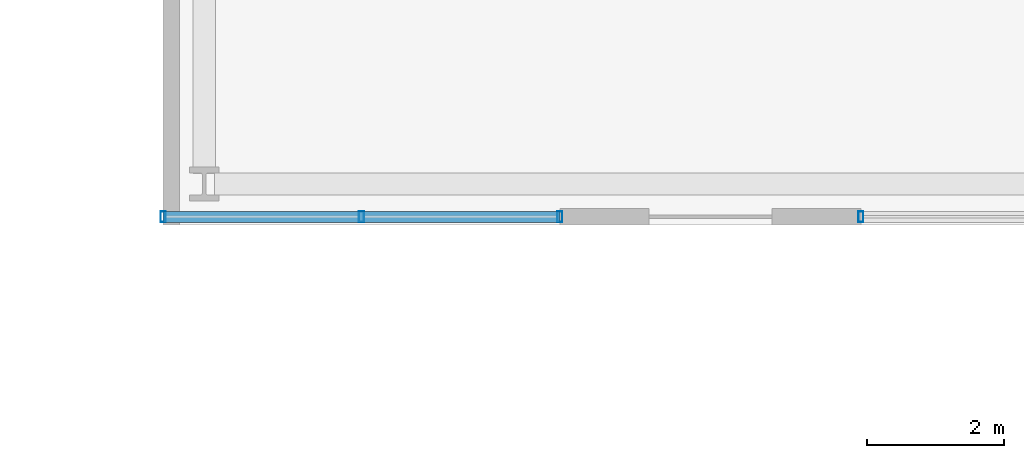
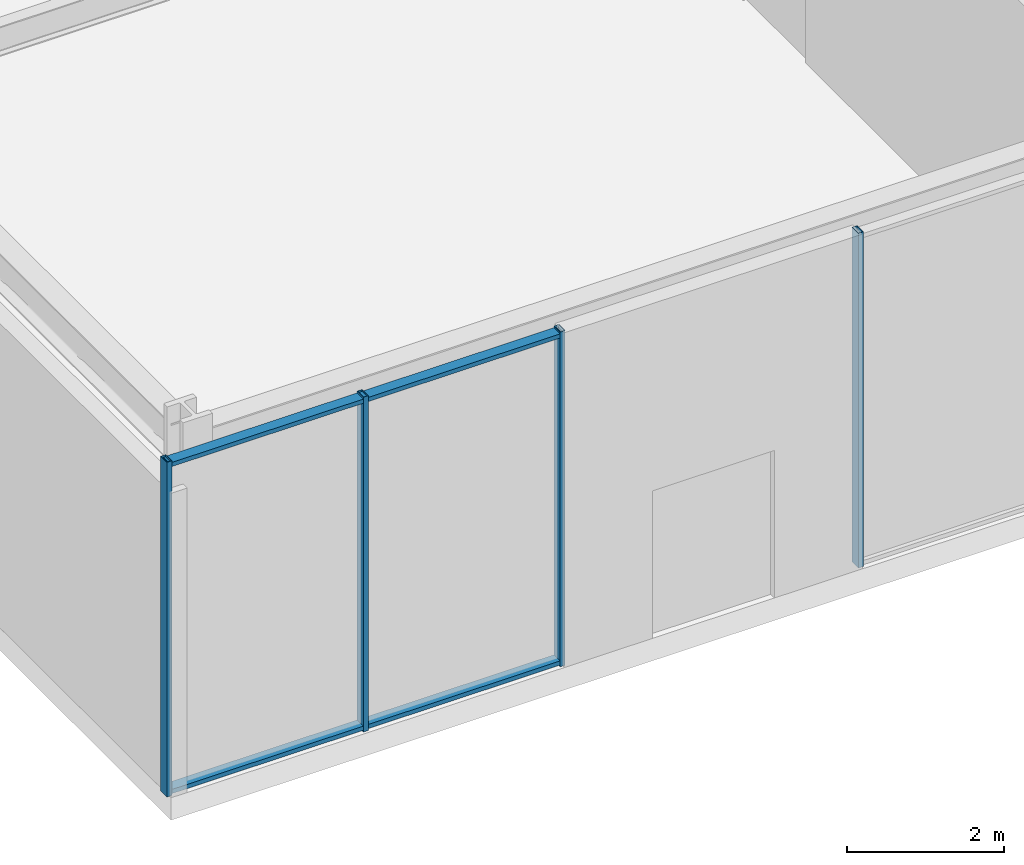
# One storey, part 2 of 24: 6 members, 2 elements without a shape of their own.
"""IFC4 building model written with IfcOpenShell, lengths in metres."""

from ifc_helpers import new_model, si_unit, direction, frame, origin, origin_2d, place, context, subcontext, project, spatial, hollow_rectangle, extrude, material, material_profile, profile_set, type_object, element, aggregate, save


model = new_model("IFC4")

# Units and contexts
model_context = context("Model", 3, precision=1e-05, world=origin(), true_north=direction((0.0, 1.0)))
body_context = subcontext(model_context, "Body", "Model", "MODEL_VIEW")
ifc_project = project(units=[si_unit("LENGTHUNIT", "METRE"), si_unit("AREAUNIT", "SQUARE_METRE"), si_unit("VOLUMEUNIT", "CUBIC_METRE"), si_unit("PLANEANGLEUNIT", "RADIAN"), si_unit("MASSUNIT", "GRAM", prefix="KILO")], contexts=[model_context])

# Site, building, storey
site_placement = place(None, origin())
site = spatial("IfcSite", under=ifc_project, at=site_placement, CompositionType="ELEMENT")
building_placement = place(site_placement, origin())
building = spatial("IfcBuilding", under=site, at=building_placement, Name="Kolvaren Belvedere", CompositionType="ELEMENT")
storey_placement = place(building_placement, origin())
storey = spatial("IfcBuildingStorey", under=building, at=storey_placement, Name="L01", CompositionType="ELEMENT", Elevation=0.0)

# Curtain wall, member
ifc_material_1 = material(Name="Anodised pale-metal aluminium AA 6063-T6", Category="aluminium")
curtain_wall_type = type_object("IfcCurtainWallType", Name="CW-POD-A", PredefinedType="NOTDEFINED", material=ifc_material_1)
curtain_wall_1_placement = place(storey_placement, origin())
curtain_wall_1 = element("IfcCurtainWall", 1, at=curtain_wall_1_placement, inside=storey, type_object=curtain_wall_type, Name="L01 Unitised Curtain Wall FCW-L01-SW1", PredefinedType="NOTDEFINED")
ifc_material_2 = material(Name="Anodised pale-metal aluminium AA 6063-T6", Category="aluminium")
ifc_material_profile_1 = material_profile(ifc_material_2, hollow_rectangle(XDim=0.074951171875, YDim=0.159912109375, WallThickness=0.00439453125, at=origin_2d()), Name="ALU-MUL-160X75")
ifc_profile_set_1 = profile_set([ifc_material_profile_1], Name="Anodised pale-metal aluminium AA 6063-T6")
member_type_1 = type_object("IfcMemberType", Name="CW-MUL-160", PredefinedType="MULLION", material=ifc_profile_set_1)
member_1_placement = place(storey_placement, frame((-17.800048828125, -28.280029296875, 0.0), z_axis=(0.0, 0.0, 1.0), x_axis=(1.0, 0.0, 0.0)))
member_1 = element("IfcMember", 2, at=member_1_placement, type_object=member_type_1, Name="FCW-L01-SW1 Unitised Mullion 3", PredefinedType="MULLION", context=body_context, shape_type="SweptSolid", body=[
    extrude(hollow_rectangle(XDim=0.074951171875, YDim=0.159912109375, WallThickness=0.00439453125, at=origin_2d()), origin(), (0.0, 0.0, 1.0), 5.219970703125),
])
aggregate(curtain_wall_1, [member_1])

# Curtain wall, members
curtain_wall_2_placement = place(storey_placement, origin())
curtain_wall_2 = element("IfcCurtainWall", 3, at=curtain_wall_2_placement, inside=storey, type_object=curtain_wall_type, Name="L01 Unitised Curtain Wall FCW-L01-SW2", PredefinedType="NOTDEFINED")
member_2_placement = place(storey_placement, frame((-22.199951171875, -28.280029296875, 0.0), z_axis=(0.0, 0.0, 1.0), x_axis=(1.0, 0.0, 0.0)))
member_2 = element("IfcMember", 4, at=member_2_placement, type_object=member_type_1, Name="FCW-L01-SW2 Unitised Mullion 1", PredefinedType="MULLION", context=body_context, shape_type="SweptSolid", body=[
    extrude(hollow_rectangle(XDim=0.074951171875, YDim=0.159912109375, WallThickness=0.00439453125, at=origin_2d()), origin(), (0.0, 0.0, 1.0), 5.219970703125),
])
member_3_placement = place(storey_placement, frame((-25.10009765625, -28.280029296875, 0.0), z_axis=(0.0, 0.0, 1.0), x_axis=(1.0, 0.0, 0.0)))
member_3 = element("IfcMember", 5, at=member_3_placement, type_object=member_type_1, Name="FCW-L01-SW2 Unitised Mullion 2", PredefinedType="MULLION", context=body_context, shape_type="SweptSolid", body=[
    extrude(hollow_rectangle(XDim=0.074951171875, YDim=0.159912109375, WallThickness=0.00439453125, at=origin_2d()), origin(), (0.0, 0.0, 1.0), 5.219970703125),
])
member_4_placement = place(storey_placement, frame((-28.0, -28.280029296875, 0.0), z_axis=(0.0, 0.0, 1.0), x_axis=(1.0, 0.0, 0.0)))
member_4 = element("IfcMember", 6, at=member_4_placement, type_object=member_type_1, Name="FCW-L01-SW2 Unitised Mullion 3", PredefinedType="MULLION", context=body_context, shape_type="SweptSolid", body=[
    extrude(hollow_rectangle(XDim=0.074951171875, YDim=0.159912109375, WallThickness=0.00439453125, at=origin_2d()), origin(), (0.0, 0.0, 1.0), 5.219970703125),
])
ifc_material_3 = material(Name="Anodised pale-metal aluminium AA 6063-T6", Category="aluminium")
ifc_material_profile_2 = material_profile(ifc_material_3, hollow_rectangle(XDim=0.06494140625, YDim=0.159912109375, WallThickness=0.00390625, at=origin_2d()), Name="ALU-TRN-160X65")
ifc_profile_set_2 = profile_set([ifc_material_profile_2], Name="Anodised pale-metal aluminium AA 6063-T6")
member_type_2 = type_object("IfcMemberType", Name="CW-TRN-160", PredefinedType="USERDEFINED", material=ifc_profile_set_2)
member_5_placement = place(storey_placement, frame((-22.199951171875, -28.280029296875, 0.06005859375), z_axis=(-1.0, 0.0, 0.0), x_axis=(0.0, 0.0, 1.0)))
member_5 = element("IfcMember", 7, at=member_5_placement, type_object=member_type_2, Name="FCW-L01-SW2 Sill Transom", ObjectType="TRANSOM", PredefinedType="USERDEFINED", context=body_context, shape_type="SweptSolid", body=[
    extrude(hollow_rectangle(XDim=0.06494140625, YDim=0.159912109375, WallThickness=0.00390625, at=origin_2d()), origin(), (0.0, 0.0, 1.0), 5.800048828125),
])
member_6_placement = place(storey_placement, frame((-22.199951171875, -28.280029296875, 5.159912109375), z_axis=(-1.0, 0.0, 0.0), x_axis=(0.0, 0.0, 1.0)))
member_6 = element("IfcMember", 8, at=member_6_placement, type_object=member_type_2, Name="FCW-L01-SW2 Head Transom", ObjectType="TRANSOM", PredefinedType="USERDEFINED", context=body_context, shape_type="SweptSolid", body=[
    extrude(hollow_rectangle(XDim=0.06494140625, YDim=0.159912109375, WallThickness=0.00390625, at=origin_2d()), origin(), (0.0, 0.0, 1.0), 5.800048828125),
])
aggregate(curtain_wall_2, [member_2, member_3, member_4, member_5, member_6])

save(model, "model.ifc")
